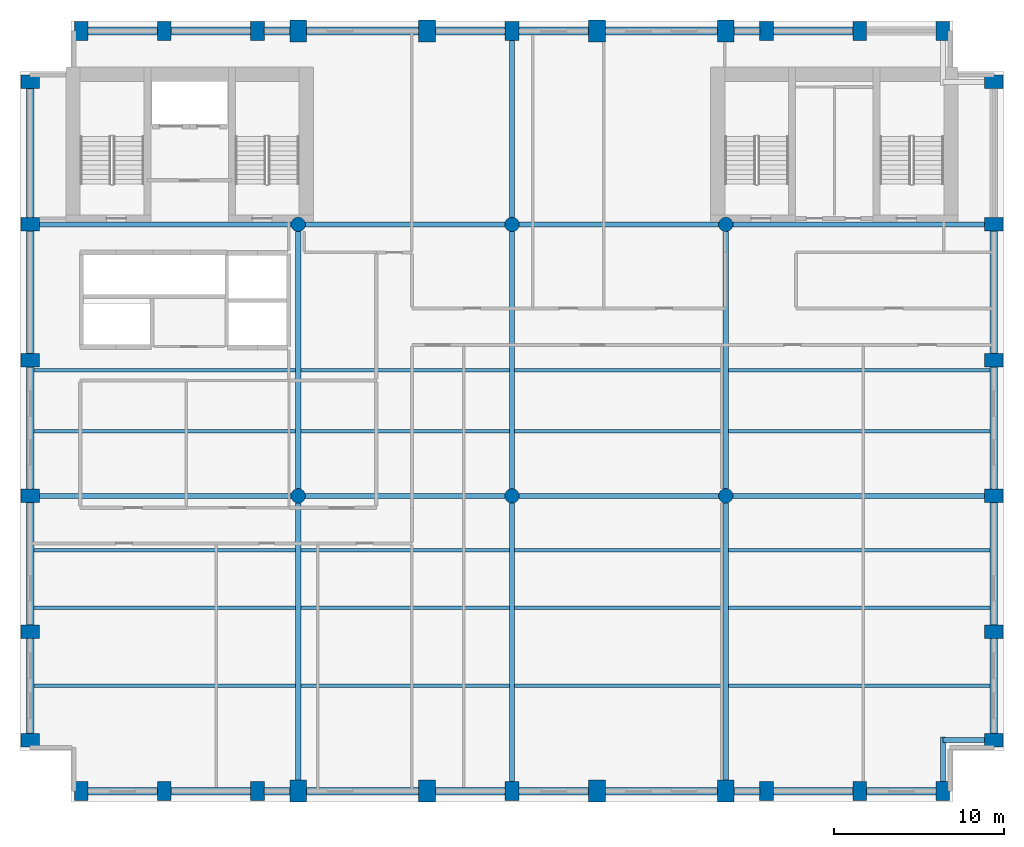
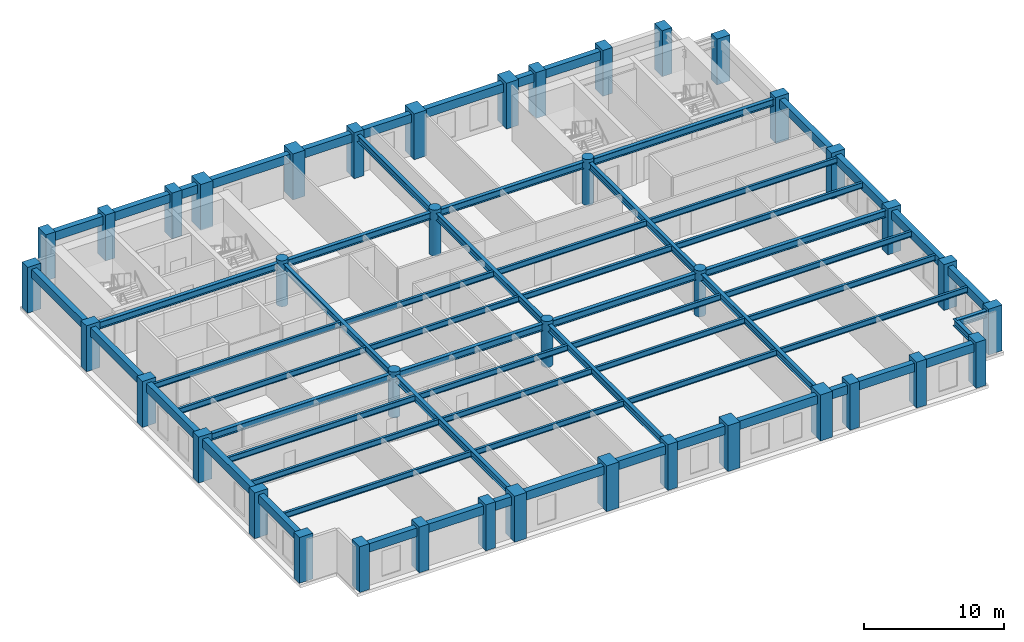
# One storey, part 1 of 8: 65 beams, 40 columns.
"""IFC4 building model written with IfcOpenShell, lengths in metres."""

from ifc_helpers import new_model, si_unit, direction, frame, origin, origin_2d, place, context, subcontext, project, spatial, rectangle, circle, i_section, extrude, material, material_profile, profile_set, type_object, element, save


model = new_model("IFC4")

# Units and contexts
model_context = context("Model", 3, precision=1e-05, world=origin(), true_north=direction((0.0, 1.0)))
body_context = subcontext(model_context, "Body", "Model", "MODEL_VIEW")
ifc_project = project(units=[si_unit("LENGTHUNIT", "METRE"), si_unit("AREAUNIT", "SQUARE_METRE"), si_unit("VOLUMEUNIT", "CUBIC_METRE"), si_unit("PLANEANGLEUNIT", "RADIAN"), si_unit("MASSUNIT", "GRAM", prefix="KILO")], contexts=[model_context])

# Site, building, storey
site_placement = place(None, origin())
site = spatial("IfcSite", under=ifc_project, at=site_placement, CompositionType="ELEMENT")
building_placement = place(site_placement, origin())
building = spatial("IfcBuilding", under=site, at=building_placement, Name="Sulina Concourse Tower", CompositionType="ELEMENT")
storey_placement = place(building_placement, frame((0.0, 0.0, 170.60009765625)))
storey = spatial("IfcBuildingStorey", under=building, at=storey_placement, Name="L41", CompositionType="ELEMENT", Elevation=170.60009765625)

# Columns
ifc_material_1 = material(Name="Precast concrete C60/75", Category="concrete")
ifc_material_profile_1 = material_profile(ifc_material_1, rectangle(XDim=0.800048828125, YDim=1.10009765625, at=origin_2d()), Name="PC 800x1100")
ifc_profile_set_1 = profile_set([ifc_material_profile_1], Name="Precast concrete C60/75")
column_type_1 = type_object("IfcColumnType", Name="Precast Tube Pier Zone 3 800x1100", PredefinedType="COLUMN", material=ifc_profile_set_1)
for number, where, z_axis, x_axis, name in (
    (1, (3.60009765625, 0.60009765625, 0.0), (0.0, 0.0, 1.0), (1.0, 0.0, 0.0), "L41 structural column TP-S-36"),
    (2, (3.60009765625, 45.39990234375, 0.0), (0.0, 0.0, 1.0), (1.0, 0.0, 0.0), "L41 structural column TP-N-36"),
    (3, (8.5, 0.60009765625, 0.0), (0.0, 0.0, 1.0), (1.0, 0.0, 0.0), "L41 structural column TP-S-85"),
    (4, (8.5, 45.39990234375, 0.0), (0.0, 0.0, 1.0), (1.0, 0.0, 0.0), "L41 structural column TP-N-85"),
    (5, (14.0, 0.60009765625, 0.0), (0.0, 0.0, 1.0), (1.0, 0.0, 0.0), "L41 structural column TP-S-140"),
    (6, (14.0, 45.39990234375, 0.0), (0.0, 0.0, 1.0), (1.0, 0.0, 0.0), "L41 structural column TP-N-140"),
    (7, (29.0, 0.60009765625, 0.0), (0.0, 0.0, 1.0), (1.0, 0.0, 0.0), "L41 structural column TP-S-290"),
    (8, (29.0, 45.39990234375, 0.0), (0.0, 0.0, 1.0), (1.0, 0.0, 0.0), "L41 structural column TP-N-290"),
    (9, (44.0, 0.60009765625, 0.0), (0.0, 0.0, 1.0), (1.0, 0.0, 0.0), "L41 structural column TP-S-440"),
    (10, (44.0, 45.39990234375, 0.0), (0.0, 0.0, 1.0), (1.0, 0.0, 0.0), "L41 structural column TP-N-440"),
    (11, (49.5, 0.60009765625, 0.0), (0.0, 0.0, 1.0), (1.0, 0.0, 0.0), "L41 structural column TP-S-495"),
    (12, (49.5, 45.39990234375, 0.0), (0.0, 0.0, 1.0), (1.0, 0.0, 0.0), "L41 structural column TP-N-495"),
    (13, (54.39990234375, 0.60009765625, 0.0), (0.0, 0.0, 1.0), (1.0, 0.0, 0.0), "L41 structural column TP-S-544"),
    (14, (54.39990234375, 45.39990234375, 0.0), (0.0, 0.0, 1.0), (1.0, 0.0, 0.0), "L41 structural column TP-N-544"),
    (15, (0.60009765625, 3.60009765625, 0.0), (0.0, 0.0, 1.0), (0.0, 1.0, 0.0), "L41 structural column TP-W-36"),
    (16, (57.39990234375, 3.60009765625, 0.0), (0.0, 0.0, 1.0), (0.0, 1.0, 0.0), "L41 structural column TP-E-36"),
    (17, (0.60009765625, 10.0, 0.0), (0.0, 0.0, 1.0), (0.0, 1.0, 0.0), "L41 structural column TP-W-100"),
    (18, (57.39990234375, 10.0, 0.0), (0.0, 0.0, 1.0), (0.0, 1.0, 0.0), "L41 structural column TP-E-100"),
    (19, (0.60009765625, 18.0, 0.0), (0.0, 0.0, 1.0), (0.0, 1.0, 0.0), "L41 structural column TP-W-180"),
    (20, (57.39990234375, 18.0, 0.0), (0.0, 0.0, 1.0), (0.0, 1.0, 0.0), "L41 structural column TP-E-180"),
    (21, (0.60009765625, 26.0, 0.0), (0.0, 0.0, 1.0), (0.0, 1.0, 0.0), "L41 structural column TP-W-260"),
    (22, (57.39990234375, 26.0, 0.0), (0.0, 0.0, 1.0), (0.0, 1.0, 0.0), "L41 structural column TP-E-260"),
    (23, (0.60009765625, 34.0, 0.0), (0.0, 0.0, 1.0), (0.0, 1.0, 0.0), "L41 structural column TP-W-340"),
    (24, (57.39990234375, 34.0, 0.0), (0.0, 0.0, 1.0), (0.0, 1.0, 0.0), "L41 structural column TP-E-340"),
    (25, (0.60009765625, 42.39990234375, 0.0), (0.0, 0.0, 1.0), (0.0, 1.0, 0.0), "L41 structural column TP-W-424"),
    (26, (57.39990234375, 42.39990234375, 0.0), (0.0, 0.0, 1.0), (0.0, 1.0, 0.0), "L41 structural column TP-E-424"),
):
    element("IfcColumn", number, at=place(storey_placement, frame(where, z_axis=z_axis, x_axis=x_axis)), inside=storey, type_object=column_type_1, Name=name, PredefinedType="COLUMN", context=body_context, shape_type="SweptSolid", body=[
        extrude(rectangle(XDim=0.800048828125, YDim=1.10009765625, at=origin_2d()), origin(), (0.0, 0.0, 1.0), 4.0),
    ])
ifc_material_2 = material(Name="Concrete C50/60", Category="concrete")
ifc_material_profile_2 = material_profile(ifc_material_2, circle(Radius=0.425048828125, at=origin_2d()), Name="RC D850")
ifc_profile_set_2 = profile_set([ifc_material_profile_2], Name="Concrete C50/60")
column_type_2 = type_object("IfcColumnType", Name="Upper Interior Circular Column D850", PredefinedType="COLUMN", material=ifc_profile_set_2)
for number, where, z_axis, x_axis, name in (
    (27, (16.39990234375, 18.0, 0.0), (0.0, 0.0, 1.0), (1.0, 0.0, 0.0), "L41 structural column IC-M-164"),
    (28, (16.39990234375, 34.0, 0.0), (0.0, 0.0, 1.0), (1.0, 0.0, 0.0), "L41 structural column IC-N-164"),
    (29, (29.0, 18.0, 0.0), (0.0, 0.0, 1.0), (1.0, 0.0, 0.0), "L41 structural column IC-M-290"),
    (30, (29.0, 34.0, 0.0), (0.0, 0.0, 1.0), (1.0, 0.0, 0.0), "L41 structural column IC-N-290"),
    (31, (41.60009765625, 18.0, 0.0), (0.0, 0.0, 1.0), (1.0, 0.0, 0.0), "L41 structural column IC-M-416"),
    (32, (41.60009765625, 34.0, 0.0), (0.0, 0.0, 1.0), (1.0, 0.0, 0.0), "L41 structural column IC-N-416"),
):
    element("IfcColumn", number, at=place(storey_placement, frame(where, z_axis=z_axis, x_axis=x_axis)), inside=storey, type_object=column_type_2, Name=name, PredefinedType="COLUMN", context=body_context, shape_type="SweptSolid", body=[
        extrude(circle(Radius=0.425048828125, at=origin_2d()), origin(), (0.0, 0.0, 1.0), 4.0),
    ])
ifc_material_3 = material(Name="Concrete C60/75", Category="concrete")
ifc_material_profile_3 = material_profile(ifc_material_3, rectangle(XDim=1.0, YDim=1.300048828125, at=origin_2d()), Name="RC 1000x1300")
ifc_profile_set_3 = profile_set([ifc_material_profile_3], Name="Concrete C60/75")
column_type_3 = type_object("IfcColumnType", Name="Upper Portal Column 1000x1300", PredefinedType="COLUMN", material=ifc_profile_set_3)
for number, where, z_axis, x_axis, name in (
    (33, (16.39990234375, 0.60009765625, 0.0), (0.0, 0.0, 1.0), (1.0, 0.0, 0.0), "L41 structural column TP-S-164"),
    (34, (16.39990234375, 45.39990234375, 0.0), (0.0, 0.0, 1.0), (1.0, 0.0, 0.0), "L41 structural column TP-N-164"),
    (35, (24.0, 0.60009765625, 0.0), (0.0, 0.0, 1.0), (1.0, 0.0, 0.0), "L41 structural column TP-S-240"),
    (36, (24.0, 45.39990234375, 0.0), (0.0, 0.0, 1.0), (1.0, 0.0, 0.0), "L41 structural column TP-N-240"),
    (37, (34.0, 0.60009765625, 0.0), (0.0, 0.0, 1.0), (1.0, 0.0, 0.0), "L41 structural column TP-S-340"),
    (38, (34.0, 45.39990234375, 0.0), (0.0, 0.0, 1.0), (1.0, 0.0, 0.0), "L41 structural column TP-N-340"),
    (39, (41.60009765625, 0.60009765625, 0.0), (0.0, 0.0, 1.0), (1.0, 0.0, 0.0), "L41 structural column TP-S-416"),
    (40, (41.60009765625, 45.39990234375, 0.0), (0.0, 0.0, 1.0), (1.0, 0.0, 0.0), "L41 structural column TP-N-416"),
):
    element("IfcColumn", number, at=place(storey_placement, frame(where, z_axis=z_axis, x_axis=x_axis)), inside=storey, type_object=column_type_3, Name=name, PredefinedType="COLUMN", context=body_context, shape_type="SweptSolid", body=[
        extrude(rectangle(XDim=1.0, YDim=1.300048828125, at=origin_2d()), origin(), (0.0, 0.0, 1.0), 4.0),
    ])

# Beams
ifc_material_4 = material(Name="Steel S355", Category="steel")
ifc_material_profile_4 = material_profile(ifc_material_4, i_section(OverallWidth=0.199951171875, OverallDepth=0.5, WebThickness=0.01025390625, FlangeThickness=0.01611328125, at=origin_2d()), Name="IPE 500")
ifc_profile_set_4 = profile_set([ifc_material_profile_4], Name="Steel S355")
beam_type_1 = type_object("IfcBeamType", Name="Composite Floor Joist IPE500", PredefinedType="JOIST", material=ifc_profile_set_4)
beam_1_placement = place(storey_placement, frame((0.824951171875, 6.800048828125, 3.474853515625), z_axis=(1.0, 0.0, 0.0), x_axis=(0.0, 1.0, 0.0)))
element("IfcBeam", 41, at=beam_1_placement, inside=storey, type_object=beam_type_1, Name="FJ-J06-1-L41", PredefinedType="JOIST", context=body_context, shape_type="SweptSolid", body=[
    extrude(i_section(OverallWidth=0.199951171875, OverallDepth=0.5, WebThickness=0.01025390625, FlangeThickness=0.01611328125, at=origin_2d()), origin(), (0.0, 0.0, 1.0), 15.425048828125),
])
for number, where, z_axis, x_axis, name in (
    (42, (16.550048828125, 6.800048828125, 3.474853515625), (1.0, 0.0, 0.0), (0.0, 1.0, 0.0), "FJ-J06-2-L41"),
    (43, (29.14990234375, 6.800048828125, 3.474853515625), (1.0, 0.0, 0.0), (0.0, 1.0, 0.0), "FJ-J06-3-L41"),
):
    element("IfcBeam", number, at=place(storey_placement, frame(where, z_axis=z_axis, x_axis=x_axis)), inside=storey, type_object=beam_type_1, Name=name, PredefinedType="JOIST", context=body_context, shape_type="SweptSolid", body=[
        extrude(i_section(OverallWidth=0.199951171875, OverallDepth=0.5, WebThickness=0.01025390625, FlangeThickness=0.01611328125, at=origin_2d()), origin(), (0.0, 0.0, 1.0), 12.300048828125),
    ])
for number, where, z_axis, x_axis, name in (
    (44, (41.75, 6.800048828125, 3.474853515625), (1.0, 0.0, 0.0), (0.0, 1.0, 0.0), "FJ-J06-4-L41"),
    (45, (0.824951171875, 11.39990234375, 3.474853515625), (1.0, 0.0, 0.0), (0.0, 1.0, 0.0), "FJ-J11-1-L41"),
):
    element("IfcBeam", number, at=place(storey_placement, frame(where, z_axis=z_axis, x_axis=x_axis)), inside=storey, type_object=beam_type_1, Name=name, PredefinedType="JOIST", context=body_context, shape_type="SweptSolid", body=[
        extrude(i_section(OverallWidth=0.199951171875, OverallDepth=0.5, WebThickness=0.01025390625, FlangeThickness=0.01611328125, at=origin_2d()), origin(), (0.0, 0.0, 1.0), 15.425048828125),
    ])
for number, where, z_axis, x_axis, name in (
    (46, (16.550048828125, 11.39990234375, 3.474853515625), (1.0, 0.0, 0.0), (0.0, 1.0, 0.0), "FJ-J11-2-L41"),
    (47, (29.14990234375, 11.39990234375, 3.474853515625), (1.0, 0.0, 0.0), (0.0, 1.0, 0.0), "FJ-J11-3-L41"),
):
    element("IfcBeam", number, at=place(storey_placement, frame(where, z_axis=z_axis, x_axis=x_axis)), inside=storey, type_object=beam_type_1, Name=name, PredefinedType="JOIST", context=body_context, shape_type="SweptSolid", body=[
        extrude(i_section(OverallWidth=0.199951171875, OverallDepth=0.5, WebThickness=0.01025390625, FlangeThickness=0.01611328125, at=origin_2d()), origin(), (0.0, 0.0, 1.0), 12.300048828125),
    ])
for number, where, z_axis, x_axis, name in (
    (48, (41.75, 11.39990234375, 3.474853515625), (1.0, 0.0, 0.0), (0.0, 1.0, 0.0), "FJ-J11-4-L41"),
    (49, (0.824951171875, 14.800048828125, 3.474853515625), (1.0, 0.0, 0.0), (0.0, 1.0, 0.0), "FJ-J15-1-L41"),
):
    element("IfcBeam", number, at=place(storey_placement, frame(where, z_axis=z_axis, x_axis=x_axis)), inside=storey, type_object=beam_type_1, Name=name, PredefinedType="JOIST", context=body_context, shape_type="SweptSolid", body=[
        extrude(i_section(OverallWidth=0.199951171875, OverallDepth=0.5, WebThickness=0.01025390625, FlangeThickness=0.01611328125, at=origin_2d()), origin(), (0.0, 0.0, 1.0), 15.425048828125),
    ])
for number, where, z_axis, x_axis, name in (
    (50, (16.550048828125, 14.800048828125, 3.474853515625), (1.0, 0.0, 0.0), (0.0, 1.0, 0.0), "FJ-J15-2-L41"),
    (51, (29.14990234375, 14.800048828125, 3.474853515625), (1.0, 0.0, 0.0), (0.0, 1.0, 0.0), "FJ-J15-3-L41"),
):
    element("IfcBeam", number, at=place(storey_placement, frame(where, z_axis=z_axis, x_axis=x_axis)), inside=storey, type_object=beam_type_1, Name=name, PredefinedType="JOIST", context=body_context, shape_type="SweptSolid", body=[
        extrude(i_section(OverallWidth=0.199951171875, OverallDepth=0.5, WebThickness=0.01025390625, FlangeThickness=0.01611328125, at=origin_2d()), origin(), (0.0, 0.0, 1.0), 12.300048828125),
    ])
for number, where, z_axis, x_axis, name in (
    (52, (41.75, 14.800048828125, 3.474853515625), (1.0, 0.0, 0.0), (0.0, 1.0, 0.0), "FJ-J15-4-L41"),
    (53, (0.824951171875, 21.800048828125, 3.474853515625), (1.0, 0.0, 0.0), (0.0, 1.0, 0.0), "FJ-J22-1-L41"),
):
    element("IfcBeam", number, at=place(storey_placement, frame(where, z_axis=z_axis, x_axis=x_axis)), inside=storey, type_object=beam_type_1, Name=name, PredefinedType="JOIST", context=body_context, shape_type="SweptSolid", body=[
        extrude(i_section(OverallWidth=0.199951171875, OverallDepth=0.5, WebThickness=0.01025390625, FlangeThickness=0.01611328125, at=origin_2d()), origin(), (0.0, 0.0, 1.0), 15.425048828125),
    ])
for number, where, z_axis, x_axis, name in (
    (54, (16.550048828125, 21.800048828125, 3.474853515625), (1.0, 0.0, 0.0), (0.0, 1.0, 0.0), "FJ-J22-2-L41"),
    (55, (29.14990234375, 21.800048828125, 3.474853515625), (1.0, 0.0, 0.0), (0.0, 1.0, 0.0), "FJ-J22-3-L41"),
):
    element("IfcBeam", number, at=place(storey_placement, frame(where, z_axis=z_axis, x_axis=x_axis)), inside=storey, type_object=beam_type_1, Name=name, PredefinedType="JOIST", context=body_context, shape_type="SweptSolid", body=[
        extrude(i_section(OverallWidth=0.199951171875, OverallDepth=0.5, WebThickness=0.01025390625, FlangeThickness=0.01611328125, at=origin_2d()), origin(), (0.0, 0.0, 1.0), 12.300048828125),
    ])
for number, where, z_axis, x_axis, name in (
    (56, (41.75, 21.800048828125, 3.474853515625), (1.0, 0.0, 0.0), (0.0, 1.0, 0.0), "FJ-J22-4-L41"),
    (57, (0.824951171875, 25.39990234375, 3.474853515625), (1.0, 0.0, 0.0), (0.0, 1.0, 0.0), "FJ-J25-1-L41"),
):
    element("IfcBeam", number, at=place(storey_placement, frame(where, z_axis=z_axis, x_axis=x_axis)), inside=storey, type_object=beam_type_1, Name=name, PredefinedType="JOIST", context=body_context, shape_type="SweptSolid", body=[
        extrude(i_section(OverallWidth=0.199951171875, OverallDepth=0.5, WebThickness=0.01025390625, FlangeThickness=0.01611328125, at=origin_2d()), origin(), (0.0, 0.0, 1.0), 15.425048828125),
    ])
for number, where, z_axis, x_axis, name in (
    (58, (16.550048828125, 25.39990234375, 3.474853515625), (1.0, 0.0, 0.0), (0.0, 1.0, 0.0), "FJ-J25-2-L41"),
    (59, (29.14990234375, 25.39990234375, 3.474853515625), (1.0, 0.0, 0.0), (0.0, 1.0, 0.0), "FJ-J25-3-L41"),
):
    element("IfcBeam", number, at=place(storey_placement, frame(where, z_axis=z_axis, x_axis=x_axis)), inside=storey, type_object=beam_type_1, Name=name, PredefinedType="JOIST", context=body_context, shape_type="SweptSolid", body=[
        extrude(i_section(OverallWidth=0.199951171875, OverallDepth=0.5, WebThickness=0.01025390625, FlangeThickness=0.01611328125, at=origin_2d()), origin(), (0.0, 0.0, 1.0), 12.300048828125),
    ])
beam_2_placement = place(storey_placement, frame((41.75, 25.39990234375, 3.474853515625), z_axis=(1.0, 0.0, 0.0), x_axis=(0.0, 1.0, 0.0)))
element("IfcBeam", 60, at=beam_2_placement, inside=storey, type_object=beam_type_1, Name="FJ-J25-4-L41", PredefinedType="JOIST", context=body_context, shape_type="SweptSolid", body=[
    extrude(i_section(OverallWidth=0.199951171875, OverallDepth=0.5, WebThickness=0.01025390625, FlangeThickness=0.01611328125, at=origin_2d()), origin(), (0.0, 0.0, 1.0), 15.425048828125),
])
ifc_material_5 = material(Name="Steel S355", Category="steel")
ifc_material_profile_5 = material_profile(ifc_material_5, i_section(OverallWidth=0.300048828125, OverallDepth=0.60009765625, WebThickness=0.015380859375, FlangeThickness=0.030029296875, at=origin_2d()), Name="HE 600 B")
ifc_profile_set_5 = profile_set([ifc_material_profile_5], Name="Steel S355")
beam_type_2 = type_object("IfcBeamType", Name="Floor Primary Girder Zone 3 HE600B", PredefinedType="BEAM", material=ifc_profile_set_5)
beam_3_placement = place(storey_placement, frame((54.39990234375, 3.60009765625, 3.4248046875), z_axis=(1.0, 0.0, 0.0), x_axis=(0.0, 1.0, 0.0)))
element("IfcBeam", 61, at=beam_3_placement, inside=storey, type_object=beam_type_2, Name="TIE-SE-L41", PredefinedType="BEAM", context=body_context, shape_type="SweptSolid", body=[
    extrude(i_section(OverallWidth=0.300048828125, OverallDepth=0.60009765625, WebThickness=0.015380859375, FlangeThickness=0.030029296875, at=origin_2d()), origin(), (0.0, 0.0, 1.0), 2.6201171875),
])
beam_4_placement = place(storey_placement, frame((54.39990234375, 0.97998046875, 3.4248046875), z_axis=(0.0, 1.0, 0.0), x_axis=(-1.0, 0.0, 0.0)))
element("IfcBeam", 62, at=beam_4_placement, inside=storey, type_object=beam_type_2, Name="TIE-SES-L41", PredefinedType="BEAM", context=body_context, shape_type="SweptSolid", body=[
    extrude(i_section(OverallWidth=0.300048828125, OverallDepth=0.60009765625, WebThickness=0.015380859375, FlangeThickness=0.030029296875, at=origin_2d()), origin(), (0.0, 0.0, 1.0), 2.820068359375),
])
beam_5_placement = place(storey_placement, frame((0.97998046875, 18.0, 3.4248046875), z_axis=(1.0, 0.0, 0.0), x_axis=(0.0, 1.0, 0.0)))
element("IfcBeam", 63, at=beam_5_placement, inside=storey, type_object=beam_type_2, Name="FG-EW1-L41", PredefinedType="BEAM", context=body_context, shape_type="SweptSolid", body=[
    extrude(i_section(OverallWidth=0.300048828125, OverallDepth=0.60009765625, WebThickness=0.015380859375, FlangeThickness=0.030029296875, at=origin_2d()), origin(), (0.0, 0.0, 1.0), 15.01513671875),
])
for number, where, z_axis, x_axis, name in (
    (64, (16.804931640625, 18.0, 3.4248046875), (1.0, 0.0, 0.0), (0.0, 1.0, 0.0), "FG-EW2-L41"),
    (65, (29.405029296875, 18.0, 3.4248046875), (1.0, 0.0, 0.0), (0.0, 1.0, 0.0), "FG-EW3-L41"),
):
    element("IfcBeam", number, at=place(storey_placement, frame(where, z_axis=z_axis, x_axis=x_axis)), inside=storey, type_object=beam_type_2, Name=name, PredefinedType="BEAM", context=body_context, shape_type="SweptSolid", body=[
        extrude(i_section(OverallWidth=0.300048828125, OverallDepth=0.60009765625, WebThickness=0.015380859375, FlangeThickness=0.030029296875, at=origin_2d()), origin(), (0.0, 0.0, 1.0), 11.7900390625),
    ])
for number, where, z_axis, x_axis, name in (
    (66, (42.0048828125, 18.0, 3.4248046875), (1.0, 0.0, 0.0), (0.0, 1.0, 0.0), "FG-EW4-L41"),
    (67, (0.97998046875, 34.0, 3.4248046875), (1.0, 0.0, 0.0), (0.0, 1.0, 0.0), "FG-EWN1-L41"),
):
    element("IfcBeam", number, at=place(storey_placement, frame(where, z_axis=z_axis, x_axis=x_axis)), inside=storey, type_object=beam_type_2, Name=name, PredefinedType="BEAM", context=body_context, shape_type="SweptSolid", body=[
        extrude(i_section(OverallWidth=0.300048828125, OverallDepth=0.60009765625, WebThickness=0.015380859375, FlangeThickness=0.030029296875, at=origin_2d()), origin(), (0.0, 0.0, 1.0), 15.01513671875),
    ])
for number, where, z_axis, x_axis, name in (
    (68, (16.804931640625, 34.0, 3.4248046875), (1.0, 0.0, 0.0), (0.0, 1.0, 0.0), "FG-EWN2-L41"),
    (69, (29.405029296875, 34.0, 3.4248046875), (1.0, 0.0, 0.0), (0.0, 1.0, 0.0), "FG-EWN3-L41"),
):
    element("IfcBeam", number, at=place(storey_placement, frame(where, z_axis=z_axis, x_axis=x_axis)), inside=storey, type_object=beam_type_2, Name=name, PredefinedType="BEAM", context=body_context, shape_type="SweptSolid", body=[
        extrude(i_section(OverallWidth=0.300048828125, OverallDepth=0.60009765625, WebThickness=0.015380859375, FlangeThickness=0.030029296875, at=origin_2d()), origin(), (0.0, 0.0, 1.0), 11.7900390625),
    ])
beam_6_placement = place(storey_placement, frame((42.0048828125, 34.0, 3.4248046875), z_axis=(1.0, 0.0, 0.0), x_axis=(0.0, 1.0, 0.0)))
element("IfcBeam", 70, at=beam_6_placement, inside=storey, type_object=beam_type_2, Name="FG-EWN4-L41", PredefinedType="BEAM", context=body_context, shape_type="SweptSolid", body=[
    extrude(i_section(OverallWidth=0.300048828125, OverallDepth=0.60009765625, WebThickness=0.015380859375, FlangeThickness=0.030029296875, at=origin_2d()), origin(), (0.0, 0.0, 1.0), 15.01513671875),
])
beam_7_placement = place(storey_placement, frame((16.39990234375, 1.080078125, 3.4248046875), z_axis=(0.0, 1.0, 0.0), x_axis=(-1.0, 0.0, 0.0)))
element("IfcBeam", 71, at=beam_7_placement, inside=storey, type_object=beam_type_2, Name="FG-NSA-16-L41", PredefinedType="BEAM", context=body_context, shape_type="SweptSolid", body=[
    extrude(i_section(OverallWidth=0.300048828125, OverallDepth=0.60009765625, WebThickness=0.015380859375, FlangeThickness=0.030029296875, at=origin_2d()), origin(), (0.0, 0.0, 1.0), 16.514892578125),
])
beam_8_placement = place(storey_placement, frame((16.39990234375, 18.405029296875, 3.4248046875), z_axis=(0.0, 1.0, 0.0), x_axis=(-1.0, 0.0, 0.0)))
element("IfcBeam", 72, at=beam_8_placement, inside=storey, type_object=beam_type_2, Name="FG-NSB-16-L41", PredefinedType="BEAM", context=body_context, shape_type="SweptSolid", body=[
    extrude(i_section(OverallWidth=0.300048828125, OverallDepth=0.60009765625, WebThickness=0.015380859375, FlangeThickness=0.030029296875, at=origin_2d()), origin(), (0.0, 0.0, 1.0), 15.18994140625),
])
beam_9_placement = place(storey_placement, frame((29.0, 0.97998046875, 3.4248046875), z_axis=(0.0, 1.0, 0.0), x_axis=(-1.0, 0.0, 0.0)))
element("IfcBeam", 73, at=beam_9_placement, inside=storey, type_object=beam_type_2, Name="FG-NSA-29-L41", PredefinedType="BEAM", context=body_context, shape_type="SweptSolid", body=[
    extrude(i_section(OverallWidth=0.300048828125, OverallDepth=0.60009765625, WebThickness=0.015380859375, FlangeThickness=0.030029296875, at=origin_2d()), origin(), (0.0, 0.0, 1.0), 16.614990234375),
])
beam_10_placement = place(storey_placement, frame((29.0, 18.405029296875, 3.4248046875), z_axis=(0.0, 1.0, 0.0), x_axis=(-1.0, 0.0, 0.0)))
element("IfcBeam", 74, at=beam_10_placement, inside=storey, type_object=beam_type_2, Name="FG-NSB-29-L41", PredefinedType="BEAM", context=body_context, shape_type="SweptSolid", body=[
    extrude(i_section(OverallWidth=0.300048828125, OverallDepth=0.60009765625, WebThickness=0.015380859375, FlangeThickness=0.030029296875, at=origin_2d()), origin(), (0.0, 0.0, 1.0), 15.18994140625),
])
beam_11_placement = place(storey_placement, frame((29.0, 34.405029296875, 3.4248046875), z_axis=(0.0, 1.0, 0.0), x_axis=(-1.0, 0.0, 0.0)))
element("IfcBeam", 75, at=beam_11_placement, inside=storey, type_object=beam_type_2, Name="FG-NSC-29-L41", PredefinedType="BEAM", context=body_context, shape_type="SweptSolid", body=[
    extrude(i_section(OverallWidth=0.300048828125, OverallDepth=0.60009765625, WebThickness=0.015380859375, FlangeThickness=0.030029296875, at=origin_2d()), origin(), (0.0, 0.0, 1.0), 10.614990234375),
])
beam_12_placement = place(storey_placement, frame((41.60009765625, 1.080078125, 3.4248046875), z_axis=(0.0, 1.0, 0.0), x_axis=(-1.0, 0.0, 0.0)))
element("IfcBeam", 76, at=beam_12_placement, inside=storey, type_object=beam_type_2, Name="FG-NSA-41-L41", PredefinedType="BEAM", context=body_context, shape_type="SweptSolid", body=[
    extrude(i_section(OverallWidth=0.300048828125, OverallDepth=0.60009765625, WebThickness=0.015380859375, FlangeThickness=0.030029296875, at=origin_2d()), origin(), (0.0, 0.0, 1.0), 16.514892578125),
])
beam_13_placement = place(storey_placement, frame((41.60009765625, 18.405029296875, 3.4248046875), z_axis=(0.0, 1.0, 0.0), x_axis=(-1.0, 0.0, 0.0)))
element("IfcBeam", 77, at=beam_13_placement, inside=storey, type_object=beam_type_2, Name="FG-NSB-41-L41", PredefinedType="BEAM", context=body_context, shape_type="SweptSolid", body=[
    extrude(i_section(OverallWidth=0.300048828125, OverallDepth=0.60009765625, WebThickness=0.015380859375, FlangeThickness=0.030029296875, at=origin_2d()), origin(), (0.0, 0.0, 1.0), 15.18994140625),
])
ifc_material_6 = material(Name="Precast concrete C50/60", Category="concrete")
ifc_material_profile_6 = material_profile(ifc_material_6, rectangle(XDim=0.449951171875, YDim=0.75, at=origin_2d()), Name="RC 450x750")
ifc_profile_set_6 = profile_set([ifc_material_profile_6], Name="Precast concrete C50/60")
beam_type_3 = type_object("IfcBeamType", Name="Upper Precast Spandrel Edge Beam 450x750", PredefinedType="BEAM", material=ifc_profile_set_6)
beam_14_placement = place(storey_placement, frame((3.97998046875, 0.60009765625, 3.349853515625), z_axis=(1.0, 0.0, 0.0), x_axis=(0.0, 1.0, 0.0)))
element("IfcBeam", 78, at=beam_14_placement, inside=storey, type_object=beam_type_3, Name="SP-S1-L41", PredefinedType="BEAM", context=body_context, shape_type="SweptSolid", body=[
    extrude(rectangle(XDim=0.449951171875, YDim=0.75, at=origin_2d()), origin(), (0.0, 0.0, 1.0), 4.14013671875),
])
beam_15_placement = place(storey_placement, frame((8.8798828125, 0.60009765625, 3.349853515625), z_axis=(1.0, 0.0, 0.0), x_axis=(0.0, 1.0, 0.0)))
element("IfcBeam", 79, at=beam_15_placement, inside=storey, type_object=beam_type_3, Name="SP-S2-L41", PredefinedType="BEAM", context=body_context, shape_type="SweptSolid", body=[
    extrude(rectangle(XDim=0.449951171875, YDim=0.75, at=origin_2d()), origin(), (0.0, 0.0, 1.0), 4.740234375),
])
beam_16_placement = place(storey_placement, frame((14.3798828125, 0.60009765625, 3.349853515625), z_axis=(1.0, 0.0, 0.0), x_axis=(0.0, 1.0, 0.0)))
element("IfcBeam", 80, at=beam_16_placement, inside=storey, type_object=beam_type_3, Name="SP-S3-L41", PredefinedType="BEAM", context=body_context, shape_type="SweptSolid", body=[
    extrude(rectangle(XDim=0.449951171875, YDim=0.75, at=origin_2d()), origin(), (0.0, 0.0, 1.0), 1.5400390625),
])
beam_17_placement = place(storey_placement, frame((16.8798828125, 0.60009765625, 3.349853515625), z_axis=(1.0, 0.0, 0.0), x_axis=(0.0, 1.0, 0.0)))
element("IfcBeam", 81, at=beam_17_placement, inside=storey, type_object=beam_type_3, Name="SP-S4-L41", PredefinedType="BEAM", context=body_context, shape_type="SweptSolid", body=[
    extrude(rectangle(XDim=0.449951171875, YDim=0.75, at=origin_2d()), origin(), (0.0, 0.0, 1.0), 6.64013671875),
])
for number, where, z_axis, x_axis, name in (
    (82, (24.47998046875, 0.60009765625, 3.349853515625), (1.0, 0.0, 0.0), (0.0, 1.0, 0.0), "SP-S5-L41"),
    (83, (29.3798828125, 0.60009765625, 3.349853515625), (1.0, 0.0, 0.0), (0.0, 1.0, 0.0), "SP-S6-L41"),
):
    element("IfcBeam", number, at=place(storey_placement, frame(where, z_axis=z_axis, x_axis=x_axis)), inside=storey, type_object=beam_type_3, Name=name, PredefinedType="BEAM", context=body_context, shape_type="SweptSolid", body=[
        extrude(rectangle(XDim=0.449951171875, YDim=0.75, at=origin_2d()), origin(), (0.0, 0.0, 1.0), 4.14013671875),
    ])
beam_18_placement = place(storey_placement, frame((34.47998046875, 0.60009765625, 3.349853515625), z_axis=(1.0, 0.0, 0.0), x_axis=(0.0, 1.0, 0.0)))
element("IfcBeam", 84, at=beam_18_placement, inside=storey, type_object=beam_type_3, Name="SP-S7-L41", PredefinedType="BEAM", context=body_context, shape_type="SweptSolid", body=[
    extrude(rectangle(XDim=0.449951171875, YDim=0.75, at=origin_2d()), origin(), (0.0, 0.0, 1.0), 6.64013671875),
])
beam_19_placement = place(storey_placement, frame((42.080078125, 0.60009765625, 3.349853515625), z_axis=(1.0, 0.0, 0.0), x_axis=(0.0, 1.0, 0.0)))
element("IfcBeam", 85, at=beam_19_placement, inside=storey, type_object=beam_type_3, Name="SP-S8-L41", PredefinedType="BEAM", context=body_context, shape_type="SweptSolid", body=[
    extrude(rectangle(XDim=0.449951171875, YDim=0.75, at=origin_2d()), origin(), (0.0, 0.0, 1.0), 1.5400390625),
])
beam_20_placement = place(storey_placement, frame((44.3798828125, 0.60009765625, 3.349853515625), z_axis=(1.0, 0.0, 0.0), x_axis=(0.0, 1.0, 0.0)))
element("IfcBeam", 86, at=beam_20_placement, inside=storey, type_object=beam_type_3, Name="SP-S9-L41", PredefinedType="BEAM", context=body_context, shape_type="SweptSolid", body=[
    extrude(rectangle(XDim=0.449951171875, YDim=0.75, at=origin_2d()), origin(), (0.0, 0.0, 1.0), 4.740234375),
])
for number, where, z_axis, x_axis, name in (
    (87, (49.8798828125, 0.60009765625, 3.349853515625), (1.0, 0.0, 0.0), (0.0, 1.0, 0.0), "SP-S10-L41"),
    (88, (3.97998046875, 45.39990234375, 3.349853515625), (1.0, 0.0, 0.0), (0.0, 1.0, 0.0), "SP-N1-L41"),
):
    element("IfcBeam", number, at=place(storey_placement, frame(where, z_axis=z_axis, x_axis=x_axis)), inside=storey, type_object=beam_type_3, Name=name, PredefinedType="BEAM", context=body_context, shape_type="SweptSolid", body=[
        extrude(rectangle(XDim=0.449951171875, YDim=0.75, at=origin_2d()), origin(), (0.0, 0.0, 1.0), 4.14013671875),
    ])
beam_21_placement = place(storey_placement, frame((8.8798828125, 45.39990234375, 3.349853515625), z_axis=(1.0, 0.0, 0.0), x_axis=(0.0, 1.0, 0.0)))
element("IfcBeam", 89, at=beam_21_placement, inside=storey, type_object=beam_type_3, Name="SP-N2-L41", PredefinedType="BEAM", context=body_context, shape_type="SweptSolid", body=[
    extrude(rectangle(XDim=0.449951171875, YDim=0.75, at=origin_2d()), origin(), (0.0, 0.0, 1.0), 4.740234375),
])
beam_22_placement = place(storey_placement, frame((14.3798828125, 45.39990234375, 3.349853515625), z_axis=(1.0, 0.0, 0.0), x_axis=(0.0, 1.0, 0.0)))
element("IfcBeam", 90, at=beam_22_placement, inside=storey, type_object=beam_type_3, Name="SP-N3-L41", PredefinedType="BEAM", context=body_context, shape_type="SweptSolid", body=[
    extrude(rectangle(XDim=0.449951171875, YDim=0.75, at=origin_2d()), origin(), (0.0, 0.0, 1.0), 1.5400390625),
])
beam_23_placement = place(storey_placement, frame((16.8798828125, 45.39990234375, 3.349853515625), z_axis=(1.0, 0.0, 0.0), x_axis=(0.0, 1.0, 0.0)))
element("IfcBeam", 91, at=beam_23_placement, inside=storey, type_object=beam_type_3, Name="SP-N4-L41", PredefinedType="BEAM", context=body_context, shape_type="SweptSolid", body=[
    extrude(rectangle(XDim=0.449951171875, YDim=0.75, at=origin_2d()), origin(), (0.0, 0.0, 1.0), 6.64013671875),
])
for number, where, z_axis, x_axis, name in (
    (92, (24.47998046875, 45.39990234375, 3.349853515625), (1.0, 0.0, 0.0), (0.0, 1.0, 0.0), "SP-N5-L41"),
    (93, (29.3798828125, 45.39990234375, 3.349853515625), (1.0, 0.0, 0.0), (0.0, 1.0, 0.0), "SP-N6-L41"),
):
    element("IfcBeam", number, at=place(storey_placement, frame(where, z_axis=z_axis, x_axis=x_axis)), inside=storey, type_object=beam_type_3, Name=name, PredefinedType="BEAM", context=body_context, shape_type="SweptSolid", body=[
        extrude(rectangle(XDim=0.449951171875, YDim=0.75, at=origin_2d()), origin(), (0.0, 0.0, 1.0), 4.14013671875),
    ])
beam_24_placement = place(storey_placement, frame((34.47998046875, 45.39990234375, 3.349853515625), z_axis=(1.0, 0.0, 0.0), x_axis=(0.0, 1.0, 0.0)))
element("IfcBeam", 94, at=beam_24_placement, inside=storey, type_object=beam_type_3, Name="SP-N7-L41", PredefinedType="BEAM", context=body_context, shape_type="SweptSolid", body=[
    extrude(rectangle(XDim=0.449951171875, YDim=0.75, at=origin_2d()), origin(), (0.0, 0.0, 1.0), 6.64013671875),
])
beam_25_placement = place(storey_placement, frame((42.080078125, 45.39990234375, 3.349853515625), z_axis=(1.0, 0.0, 0.0), x_axis=(0.0, 1.0, 0.0)))
element("IfcBeam", 95, at=beam_25_placement, inside=storey, type_object=beam_type_3, Name="SP-N8-L41", PredefinedType="BEAM", context=body_context, shape_type="SweptSolid", body=[
    extrude(rectangle(XDim=0.449951171875, YDim=0.75, at=origin_2d()), origin(), (0.0, 0.0, 1.0), 1.5400390625),
])
beam_26_placement = place(storey_placement, frame((44.3798828125, 45.39990234375, 3.349853515625), z_axis=(1.0, 0.0, 0.0), x_axis=(0.0, 1.0, 0.0)))
element("IfcBeam", 96, at=beam_26_placement, inside=storey, type_object=beam_type_3, Name="SP-N9-L41", PredefinedType="BEAM", context=body_context, shape_type="SweptSolid", body=[
    extrude(rectangle(XDim=0.449951171875, YDim=0.75, at=origin_2d()), origin(), (0.0, 0.0, 1.0), 4.740234375),
])
beam_27_placement = place(storey_placement, frame((0.60009765625, 3.97998046875, 3.349853515625), z_axis=(0.0, 1.0, 0.0), x_axis=(-1.0, 0.0, 0.0)))
element("IfcBeam", 97, at=beam_27_placement, inside=storey, type_object=beam_type_3, Name="SP-W1-L41", PredefinedType="BEAM", context=body_context, shape_type="SweptSolid", body=[
    extrude(rectangle(XDim=0.449951171875, YDim=0.75, at=origin_2d()), origin(), (0.0, 0.0, 1.0), 5.64013671875),
])
for number, where, z_axis, x_axis, name in (
    (98, (0.60009765625, 10.3798828125, 3.349853515625), (0.0, 1.0, 0.0), (-1.0, 0.0, 0.0), "SP-W2-L41"),
    (99, (0.60009765625, 18.3798828125, 3.349853515625), (0.0, 1.0, 0.0), (-1.0, 0.0, 0.0), "SP-W3-L41"),
    (100, (0.60009765625, 26.3798828125, 3.349853515625), (0.0, 1.0, 0.0), (-1.0, 0.0, 0.0), "SP-W4-L41"),
):
    element("IfcBeam", number, at=place(storey_placement, frame(where, z_axis=z_axis, x_axis=x_axis)), inside=storey, type_object=beam_type_3, Name=name, PredefinedType="BEAM", context=body_context, shape_type="SweptSolid", body=[
        extrude(rectangle(XDim=0.449951171875, YDim=0.75, at=origin_2d()), origin(), (0.0, 0.0, 1.0), 7.240234375),
    ])
beam_28_placement = place(storey_placement, frame((0.60009765625, 34.3798828125, 3.349853515625), z_axis=(0.0, 1.0, 0.0), x_axis=(-1.0, 0.0, 0.0)))
element("IfcBeam", 101, at=beam_28_placement, inside=storey, type_object=beam_type_3, Name="SP-W5-L41", PredefinedType="BEAM", context=body_context, shape_type="SweptSolid", body=[
    extrude(rectangle(XDim=0.449951171875, YDim=0.75, at=origin_2d()), origin(), (0.0, 0.0, 1.0), 7.64013671875),
])
beam_29_placement = place(storey_placement, frame((57.39990234375, 3.97998046875, 3.349853515625), z_axis=(0.0, 1.0, 0.0), x_axis=(-1.0, 0.0, 0.0)))
element("IfcBeam", 102, at=beam_29_placement, inside=storey, type_object=beam_type_3, Name="SP-E1-L41", PredefinedType="BEAM", context=body_context, shape_type="SweptSolid", body=[
    extrude(rectangle(XDim=0.449951171875, YDim=0.75, at=origin_2d()), origin(), (0.0, 0.0, 1.0), 5.64013671875),
])
for number, where, z_axis, x_axis, name in (
    (103, (57.39990234375, 10.3798828125, 3.349853515625), (0.0, 1.0, 0.0), (-1.0, 0.0, 0.0), "SP-E2-L41"),
    (104, (57.39990234375, 18.3798828125, 3.349853515625), (0.0, 1.0, 0.0), (-1.0, 0.0, 0.0), "SP-E3-L41"),
    (105, (57.39990234375, 26.3798828125, 3.349853515625), (0.0, 1.0, 0.0), (-1.0, 0.0, 0.0), "SP-E4-L41"),
):
    element("IfcBeam", number, at=place(storey_placement, frame(where, z_axis=z_axis, x_axis=x_axis)), inside=storey, type_object=beam_type_3, Name=name, PredefinedType="BEAM", context=body_context, shape_type="SweptSolid", body=[
        extrude(rectangle(XDim=0.449951171875, YDim=0.75, at=origin_2d()), origin(), (0.0, 0.0, 1.0), 7.240234375),
    ])

save(model, "model.ifc")
